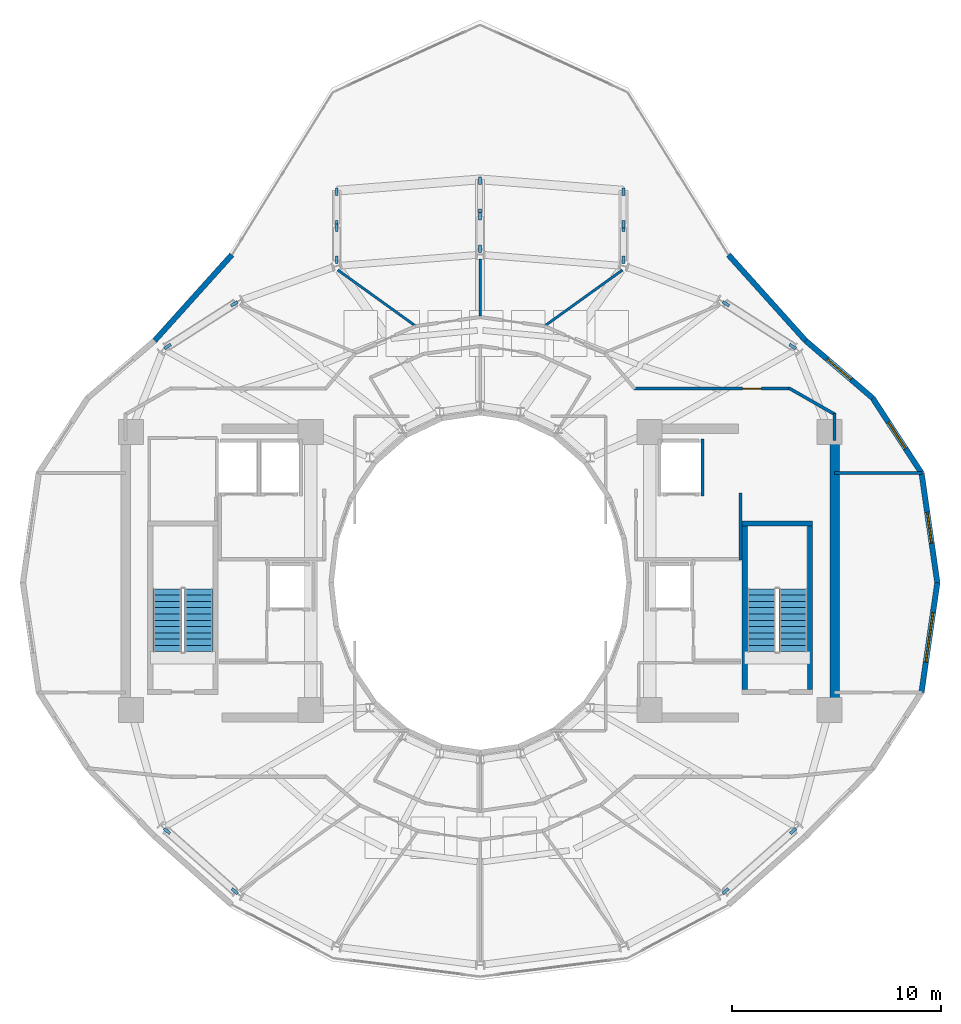
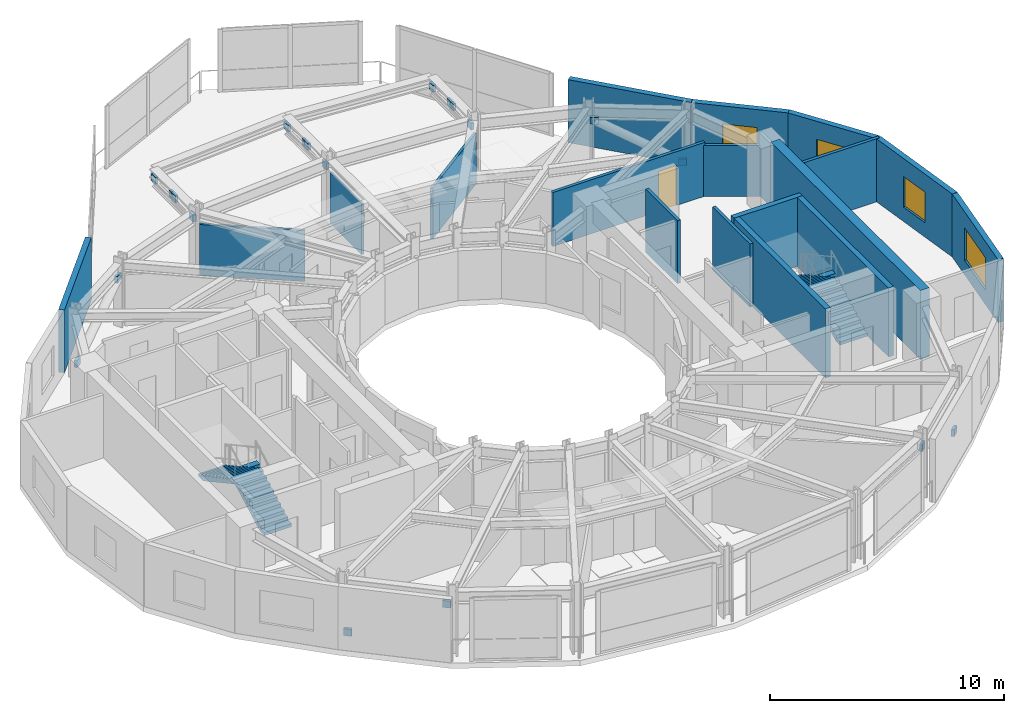
# One storey, part 16 of 19: 20 discrete accessories, 19 walls, 4 stair flights, 4 windows, 1 door, 5 openings, 2 elements without a shape of their own.
"""IFC4 building model written with IfcOpenShell, lengths in metres."""

from ifc_helpers import new_model, si_unit, direction, frame, frame_2d, origin, origin_2d, place, context, subcontext, project, spatial, polyline, rectangle, outline, extrude, material, layer, layer_set, type_object, element, fill, aggregate, save


model = new_model("IFC4")

# Units and contexts
model_context = context("Model", 3, precision=1e-05, world=origin(), true_north=direction((0.0, 1.0)))
body_context = subcontext(model_context, "Body", "Model", "MODEL_VIEW")
ifc_project = project(units=[si_unit("LENGTHUNIT", "METRE"), si_unit("AREAUNIT", "SQUARE_METRE"), si_unit("VOLUMEUNIT", "CUBIC_METRE"), si_unit("PLANEANGLEUNIT", "RADIAN"), si_unit("MASSUNIT", "GRAM", prefix="KILO")], contexts=[model_context])

# Site, building, storey
site_placement = place(None, origin())
site = spatial("IfcSite", under=ifc_project, at=site_placement, CompositionType="ELEMENT")
building_placement = place(site_placement, origin())
building = spatial("IfcBuilding", under=site, at=building_placement, Name="Solvane Sanctuary Tower", CompositionType="ELEMENT")
storey_placement = place(building_placement, frame((0.0, 0.0, 249.60009765625)))
storey = spatial("IfcBuildingStorey", under=building, at=storey_placement, Name="L76", CompositionType="ELEMENT", Elevation=249.60009765625)

# Walls
ifc_material_1 = material(Name="Concrete C50/60", Category="concrete")
ifc_layer_1 = layer(ifc_material_1, 0.449951171875, Name="Concrete C50/60")
ifc_layer_set_1 = layer_set([ifc_layer_1], Name="Concrete C50/60")
wall_type_1 = type_object("IfcWallType", Name="Wall W-CORE-450", PredefinedType="SHEAR", material=ifc_layer_set_1)
wall_1_placement = place(storey_placement, frame((48.949951171875, 17.050048828125, 0.0), z_axis=(0.0, 0.0, 1.0), x_axis=(0.0, 1.0, 0.0)))
element("IfcWall", 1, at=wall_1_placement, inside=storey, type_object=wall_type_1, Name="L76 Core Shear Wall EC-E", PredefinedType="SHEAR", context=body_context, shape_type="SweptSolid", body=[
    extrude(rectangle(XDim=12.800048828125, YDim=0.449951171875, at=frame_2d((6.39990234375, 0.0))), origin(), (0.0, 0.0, 1.0), 3.599853515625),
])
ifc_material_2 = material(Name="Acoustic Gypsum Partition Board")
ifc_layer_2 = layer(ifc_material_2, 0.14990234375, Name="Acoustic Gypsum Partition Board")
ifc_layer_set_2 = layer_set([ifc_layer_2], Name="Acoustic Gypsum Partition Board")
wall_type_2 = type_object("IfcWallType", Name="Wall W-CORR-150", PredefinedType="PARTITIONING", material=ifc_layer_set_2)
wall_2_placement = place(storey_placement, frame((44.449951171875, 24.080078125, 0.0), z_axis=(0.0, 0.0, 1.0), x_axis=(0.0, 1.0, 0.0)))
element("IfcWall", 2, at=wall_2_placement, inside=storey, type_object=wall_type_2, Name="L76 East Firefighting Lobby East Wall", PredefinedType="PARTITIONING", context=body_context, shape_type="SweptSolid", body=[
    extrude(rectangle(XDim=3.199951171875, YDim=0.14990234375, at=frame_2d((1.60009765625, 0.0))), origin(), (0.0, 0.0, 1.0), 3.294921875),
])
wall_3_placement = place(storey_placement, frame((48.949951171875, 28.245361328125, 0.0), z_axis=(0.0, 0.0, 1.0), x_axis=(1.0, 0.0, 0.0)))
element("IfcWall", 3, at=wall_3_placement, inside=storey, type_object=wall_type_2, Name="L76 East Shoulder North Wall", PredefinedType="PARTITIONING", context=body_context, shape_type="SweptSolid", body=[
    extrude(rectangle(XDim=4.174560546875, YDim=0.14990234375, at=frame_2d((2.08740234375, 0.0))), origin(), (0.0, 0.0, 1.0), 3.294921875),
])
wall_4_placement = place(storey_placement, frame((48.949951171875, 29.800048828125, 0.0), z_axis=(0.0, 0.0, 1.0), x_axis=(0.0, 1.0, 0.0)))
element("IfcWall", 4, at=wall_4_placement, inside=storey, type_object=wall_type_2, Name="L76 NE Corner Closer 1", PredefinedType="PARTITIONING", context=body_context, shape_type="SweptSolid", body=[
    extrude(rectangle(XDim=1.2900390625, YDim=0.14990234375, at=frame_2d((0.64501953125, 0.0))), origin(), (0.0, 0.0, 1.0), 3.294921875),
])

# Wall, opening, door
wall_5_placement = place(storey_placement, frame((39.330078125, 32.280029296875, 0.0), z_axis=(0.0, 0.0, 1.0), x_axis=(1.0, 0.0, 0.0)))
wall_5 = element("IfcWall", 5, at=wall_5_placement, inside=storey, type_object=wall_type_2, Name="L76 NE Corner Corridor Wall", PredefinedType="PARTITIONING", context=body_context, shape_type="SweptSolid", body=[
    extrude(rectangle(XDim=7.52001953125, YDim=0.14990234375, at=frame_2d((3.760009765625, 0.0))), origin(), (0.0, 0.0, 1.0), 2.81591796875),
])
opening_1_placement = place(wall_5_placement, frame((5.219970703125, 0.0, 0.0)))
opening_1 = element("IfcOpeningElement", 6, at=opening_1_placement, cuts=wall_5, Name="Opening D-L76-16", PredefinedType="OPENING", context=body_context, shape_type="SweptSolid", body=[
    extrude(rectangle(XDim=0.89990234375, YDim=2.10009765625, at=frame_2d((0.449951171875, 1.050048828125))), frame((0.0, 0.0849609375, 0.0), z_axis=(0.0, -1.0, 0.0), x_axis=(1.0, 0.0, 0.0)), (0.0, 0.0, 1.0), 0.169921875),
])
ifc_material_3 = material(Name="Engineered Tropical Hardwood", Category="wood")
door_type = type_object("IfcDoorType", Name="Door D-WET-900", OperationType="NOTDEFINED", PredefinedType="DOOR", material=ifc_material_3)
door_placement = place(opening_1_placement, origin())
door = element("IfcDoor", 7, at=door_placement, inside=storey, type_object=door_type, Name="L76 NE Corner Salon Door", OperationType="SINGLE_SWING_LEFT", OverallHeight=2.10009765625, OverallWidth=0.89990234375, PredefinedType="DOOR", context=body_context, shape_type="SweptSolid", body=[
    extrude(rectangle(XDim=0.89990234375, YDim=2.10009765625, at=frame_2d((0.449951171875, 1.050048828125))), frame((0.0, 0.02490234375, 0.0), z_axis=(0.0, -1.0, 0.0), x_axis=(1.0, 0.0, 0.0)), (0.0, 0.0, 1.0), 0.050048828125),
])
fill(opening_1, door)

# Wall
wall_6_placement = place(storey_placement, frame((46.756591796875, 32.3046875, 0.0), z_axis=(0.0, 0.0, 1.0), x_axis=(0.867991349648, -0.496579315857, 0.0)))
element("IfcWall", 8, at=wall_6_placement, inside=storey, type_object=wall_type_2, Name="L76 NE Corner Wing Wall", PredefinedType="PARTITIONING", context=body_context, shape_type="SweptSolid", body=[
    extrude(rectangle(XDim=2.56689453125, YDim=0.14990234375, at=frame_2d((1.283447265625, 0.0))), origin(), (0.0, 0.0, 1.0), 2.659912109375),
])

# Wall, opening, window
ifc_material_4 = material(Name="Precast concrete C40/50", Category="concrete")
ifc_layer_3 = layer(ifc_material_4, 0.260009765625, Name="Precast concrete C40/50")
ifc_layer_set_3 = layer_set([ifc_layer_3], Name="Precast concrete C40/50")
wall_type_3 = type_object("IfcWallType", Name="Wall W-EXT-250", PredefinedType="STANDARD", material=ifc_layer_set_3)
wall_7_placement = place(storey_placement, frame((53.860107421875, 23.0, 0.0), z_axis=(0.0, 0.0, 1.0), x_axis=(-0.142712754019, 0.989764148593, 0.0)))
wall_7 = element("IfcWall", 9, at=wall_7_placement, inside=storey, type_object=wall_type_3, Name="L76 Ceramic-Printed Facade Wall 00", PredefinedType="STANDARD", context=body_context, shape_type="SweptSolid", body=[
    extrude(rectangle(XDim=5.29296875, YDim=0.260009765625, at=frame_2d((2.646484375, 0.0))), origin(), (0.0, 0.0, 1.0), 3.289794921875),
])
opening_2_placement = place(wall_7_placement, frame((1.896484375, 0.0, 0.75)))
opening_2 = element("IfcOpeningElement", 10, at=opening_2_placement, cuts=wall_7, Name="Opening WN-OPER-1500", PredefinedType="OPENING", context=body_context, shape_type="SweptSolid", body=[
    extrude(rectangle(XDim=1.5, YDim=1.60009765625, at=frame_2d((0.75, 0.800048828125))), frame((0.0, 0.139892578125, 0.0), z_axis=(0.0, -1.0, 0.0), x_axis=(1.0, 0.0, 0.0)), (0.0, 0.0, 1.0), 0.280029296875),
])
ifc_material_5 = material(Name="Dark Ceramic-Fritted Low-E Glass", Category="glass")
window_type_1 = type_object("IfcWindowType", Name="Window WN-OPER-1500", PartitioningType="SINGLE_PANEL", PredefinedType="WINDOW", material=ifc_material_5)
window_1_placement = place(opening_2_placement, origin())
window_1 = element("IfcWindow", 11, at=window_1_placement, inside=storey, type_object=window_type_1, Name="L76 Operable Facade Window 00", OverallHeight=1.60009765625, OverallWidth=1.5, PartitioningType="SINGLE_PANEL", PredefinedType="WINDOW", context=body_context, shape_type="SweptSolid", body=[
    extrude(rectangle(XDim=1.5, YDim=1.60009765625, at=frame_2d((0.75, 0.800048828125))), frame((0.0, 0.030029296875, 0.0), z_axis=(0.0, -1.0, 0.0), x_axis=(1.0, 0.0, 0.0)), (0.0, 0.0, 1.0), 0.06005859375),
])
fill(opening_2, window_1)

wall_8_placement = place(storey_placement, frame((53.104736328125, 28.23876953125, 0.0), z_axis=(0.0, 0.0, 1.0), x_axis=(-0.546606419826, 0.837389647539, 0.0)))
wall_8 = element("IfcWall", 12, at=wall_8_placement, inside=storey, type_object=wall_type_3, Name="L76 Ceramic-Printed Facade Wall 01", PredefinedType="STANDARD", context=body_context, shape_type="SweptSolid", body=[
    extrude(rectangle(XDim=4.287841796875, YDim=0.260009765625, at=frame_2d((2.14404296875, 0.0))), origin(), (0.0, 0.0, 1.0), 3.289794921875),
])
opening_3_placement = place(wall_8_placement, frame((1.393798828125, 0.0, 0.75)))
opening_3 = element("IfcOpeningElement", 13, at=opening_3_placement, cuts=wall_8, Name="Opening WN-OPER-1500", PredefinedType="OPENING", context=body_context, shape_type="SweptSolid", body=[
    extrude(rectangle(XDim=1.5, YDim=1.60009765625, at=frame_2d((0.75, 0.800048828125))), frame((0.0, 0.139892578125, 0.0), z_axis=(0.0, -1.0, 0.0), x_axis=(1.0, 0.0, 0.0)), (0.0, 0.0, 1.0), 0.280029296875),
])
window_2_placement = place(opening_3_placement, origin())
window_2 = element("IfcWindow", 14, at=window_2_placement, inside=storey, type_object=window_type_1, Name="L76 Operable Facade Window 01", OverallHeight=1.60009765625, OverallWidth=1.5, PartitioningType="SINGLE_PANEL", PredefinedType="WINDOW", context=body_context, shape_type="SweptSolid", body=[
    extrude(rectangle(XDim=1.5, YDim=1.60009765625, at=frame_2d((0.75, 0.800048828125))), frame((0.0, 0.030029296875, 0.0), z_axis=(0.0, -1.0, 0.0), x_axis=(1.0, 0.0, 0.0)), (0.0, 0.0, 1.0), 0.06005859375),
])
fill(opening_3, window_2)

wall_9_placement = place(storey_placement, frame((50.760986328125, 31.829345703125, 0.0), z_axis=(0.0, 0.0, 1.0), x_axis=(-0.759587504333, 0.650405122413, 0.0)))
wall_9 = element("IfcWall", 15, at=wall_9_placement, inside=storey, type_object=wall_type_3, Name="L76 Ceramic-Printed Facade Wall 02", PredefinedType="STANDARD", context=body_context, shape_type="SweptSolid", body=[
    extrude(rectangle(XDim=4.21728515625, YDim=0.260009765625, at=frame_2d((2.108642578125, 0.0))), origin(), (0.0, 0.0, 1.0), 3.289794921875),
])
opening_4_placement = place(wall_9_placement, frame((1.358642578125, 0.0, 0.75)))
opening_4 = element("IfcOpeningElement", 16, at=opening_4_placement, cuts=wall_9, Name="Opening WN-OPER-1500", PredefinedType="OPENING", context=body_context, shape_type="SweptSolid", body=[
    extrude(rectangle(XDim=1.5, YDim=1.60009765625, at=frame_2d((0.75, 0.800048828125))), frame((0.0, 0.139892578125, 0.0), z_axis=(0.0, -1.0, 0.0), x_axis=(1.0, 0.0, 0.0)), (0.0, 0.0, 1.0), 0.280029296875),
])
window_3_placement = place(opening_4_placement, origin())
window_3 = element("IfcWindow", 17, at=window_3_placement, inside=storey, type_object=window_type_1, Name="L76 Operable Facade Window 02", OverallHeight=1.60009765625, OverallWidth=1.5, PartitioningType="SINGLE_PANEL", PredefinedType="WINDOW", context=body_context, shape_type="SweptSolid", body=[
    extrude(rectangle(XDim=1.5, YDim=1.60009765625, at=frame_2d((0.75, 0.800048828125))), frame((0.0, 0.030029296875, 0.0), z_axis=(0.0, -1.0, 0.0), x_axis=(1.0, 0.0, 0.0)), (0.0, 0.0, 1.0), 0.06005859375),
])
fill(opening_4, window_3)

# Walls
for number, where, z_axis, x_axis, name in (
    (18, (47.5576171875, 34.572265625, 0.0), (0.0, 0.0, 1.0), (-0.668903560134, 0.743349196031, 0.0), "L76 Ceramic-Printed Facade Wall 03"),
    (19, (20.1298828125, 38.670166015625, 0.0), (0.0, 0.0, 1.0), (-0.668903560134, -0.743349196031, 0.0), "L76 Ceramic-Printed Facade Wall 08"),
):
    element("IfcWall", number, at=place(storey_placement, frame(where, z_axis=z_axis, x_axis=x_axis)), inside=storey, type_object=wall_type_3, Name=name, PredefinedType="STANDARD", context=body_context, shape_type="SweptSolid", body=[
        extrude(rectangle(XDim=5.5126953125, YDim=0.260009765625, at=frame_2d((2.75634765625, 0.0))), origin(), (0.0, 0.0, 1.0), 3.289794921875),
    ])

# Wall, opening, window
wall_10_placement = place(storey_placement, frame((53.104736328125, 17.76123046875, 0.0), z_axis=(0.0, 0.0, 1.0), x_axis=(0.142712754019, 0.989764148593, 0.0)))
wall_10 = element("IfcWall", 20, at=wall_10_placement, inside=storey, type_object=wall_type_3, Name="L76 Ceramic-Printed Facade Wall 23", PredefinedType="STANDARD", context=body_context, shape_type="SweptSolid", body=[
    extrude(rectangle(XDim=5.29296875, YDim=0.260009765625, at=frame_2d((2.646484375, 0.0))), origin(), (0.0, 0.0, 1.0), 3.289794921875),
])
opening_5_placement = place(wall_10_placement, frame((1.446533203125, 0.0, 0.75)))
opening_5 = element("IfcOpeningElement", 21, at=opening_5_placement, cuts=wall_10, Name="Opening WN-RIB-2400", PredefinedType="OPENING", context=body_context, shape_type="SweptSolid", body=[
    extrude(rectangle(XDim=2.39990234375, YDim=1.699951171875, at=frame_2d((1.199951171875, 0.85009765625))), frame((0.0, 0.139892578125, 0.0), z_axis=(0.0, -1.0, 0.0), x_axis=(1.0, 0.0, 0.0)), (0.0, 0.0, 1.0), 0.280029296875),
])
window_type_2 = type_object("IfcWindowType", Name="Window WN-RIB-2400", PartitioningType="SINGLE_PANEL", PredefinedType="WINDOW", material=ifc_material_5)
window_4_placement = place(opening_5_placement, origin())
window_4 = element("IfcWindow", 22, at=window_4_placement, inside=storey, type_object=window_type_2, Name="L76 Operable Facade Window 23", OverallHeight=1.699951171875, OverallWidth=2.39990234375, PartitioningType="SINGLE_PANEL", PredefinedType="WINDOW", context=body_context, shape_type="SweptSolid", body=[
    extrude(rectangle(XDim=2.39990234375, YDim=1.699951171875, at=frame_2d((1.199951171875, 0.85009765625))), frame((0.0, 0.030029296875, 0.0), z_axis=(0.0, -1.0, 0.0), x_axis=(1.0, 0.0, 0.0)), (0.0, 0.0, 1.0), 0.06005859375),
])
fill(opening_5, window_4)

# Walls
ifc_layer_4 = layer(ifc_material_2, 0.1201171875, Name="Acoustic Gypsum Partition Board")
ifc_layer_set_4 = layer_set([ifc_layer_4], Name="Acoustic Gypsum Partition Board")
wall_type_4 = type_object("IfcWallType", Name="Wall W-MOV-100", PredefinedType="MOVABLE", material=ifc_layer_set_4)
wall_11_placement = place(storey_placement, frame((35.1240234375, 35.29736328125, 0.0), z_axis=(0.0, 0.0, 1.0), x_axis=(0.811745719064, 0.584011033783, 0.0)))
element("IfcWall", 23, at=wall_11_placement, inside=storey, type_object=wall_type_4, Name="L76 Sky Hall Radial Partition 075", PredefinedType="MOVABLE", context=body_context, shape_type="SweptSolid", body=[
    extrude(rectangle(XDim=4.53369140625, YDim=0.1201171875, at=frame_2d((2.266845703125, 0.0))), origin(), (0.0, 0.0, 1.0), 2.659912109375),
])
wall_12_placement = place(storey_placement, frame((32.0, 35.7529296875, 0.0), z_axis=(0.0, 0.0, 1.0), x_axis=(0.0, 1.0, 0.0)))
element("IfcWall", 24, at=wall_12_placement, inside=storey, type_object=wall_type_4, Name="L76 Sky Hall Radial Partition 090", PredefinedType="MOVABLE", context=body_context, shape_type="SweptSolid", body=[
    extrude(rectangle(XDim=2.72705078125, YDim=0.1201171875, at=frame_2d((1.363525390625, 0.0))), origin(), (0.0, 0.0, 1.0), 2.659912109375),
])
wall_13_placement = place(storey_placement, frame((28.8759765625, 35.29736328125, 0.0), z_axis=(0.0, 0.0, 1.0), x_axis=(-0.811745719064, 0.584011033783, 0.0)))
element("IfcWall", 25, at=wall_13_placement, inside=storey, type_object=wall_type_4, Name="L76 Sky Hall Radial Partition 105", PredefinedType="MOVABLE", context=body_context, shape_type="SweptSolid", body=[
    extrude(rectangle(XDim=4.53369140625, YDim=0.1201171875, at=frame_2d((2.266845703125, 0.0))), origin(), (0.0, 0.0, 1.0), 2.659912109375),
])
ifc_layer_5 = layer(ifc_material_1, 0.14990234375, Name="Concrete C50/60")
ifc_layer_set_5 = layer_set([ifc_layer_5], Name="Concrete C50/60")
wall_type_5 = type_object("IfcWallType", Name="Wall W-SHAFT-150", PredefinedType="SOLIDWALL", material=ifc_layer_set_5)
wall_14_placement = place(storey_placement, frame((42.6298828125, 27.139892578125, 0.0), z_axis=(0.0, 0.0, 1.0), x_axis=(0.0, 1.0, 0.0)))
element("IfcWall", 26, at=wall_14_placement, inside=storey, type_object=wall_type_5, Name="L76 FFL-2 Lift Shaft Wall S2", PredefinedType="SOLIDWALL", context=body_context, shape_type="SweptSolid", body=[
    extrude(rectangle(XDim=2.72021484375, YDim=0.14990234375, at=frame_2d((1.360107421875, 0.0))), origin(), (0.0, 0.0, 1.0), 3.294921875),
])
ifc_layer_6 = layer(ifc_material_1, 0.25, Name="Concrete C50/60")
ifc_layer_set_6 = layer_set([ifc_layer_6], Name="Concrete C50/60")
wall_type_6 = type_object("IfcWallType", Name="Wall W-SHAFT-250", PredefinedType="SOLIDWALL", material=ifc_layer_set_6)
wall_15_placement = place(storey_placement, frame((44.52490234375, 25.830078125, 0.0), z_axis=(0.0, 0.0, 1.0), x_axis=(1.0, 0.0, 0.0)))
element("IfcWall", 27, at=wall_15_placement, inside=storey, type_object=wall_type_6, Name="L76 ST-2 Load-Bearing Shaft Wall N", PredefinedType="SOLIDWALL", context=body_context, shape_type="SweptSolid", body=[
    extrude(rectangle(XDim=3.3701171875, YDim=0.25, at=frame_2d((1.68505859375, 0.0))), origin(), (0.0, 0.0, 1.0), 3.599853515625),
])
for number, where, z_axis, x_axis, name in (
    (28, (44.64990234375, 17.89501953125, 0.0), (0.0, 0.0, 1.0), (0.0, 1.0, 0.0), "L76 ST-2 Load-Bearing Shaft Wall W"),
    (29, (47.77001953125, 17.89501953125, 0.0), (0.0, 0.0, 1.0), (0.0, 1.0, 0.0), "L76 ST-2 Load-Bearing Shaft Wall E"),
):
    element("IfcWall", number, at=place(storey_placement, frame(where, z_axis=z_axis, x_axis=x_axis)), inside=storey, type_object=wall_type_6, Name=name, PredefinedType="SOLIDWALL", context=body_context, shape_type="SweptSolid", body=[
        extrude(rectangle(XDim=7.81005859375, YDim=0.25, at=frame_2d((3.905029296875, 0.0))), origin(), (0.0, 0.0, 1.0), 3.599853515625),
    ])

# Stair, stair flights
ifc_material_6 = material(Name="Concrete C45/55", Category="concrete")
stair_type = type_object("IfcStairType", Name="Stair ST-TOW", PredefinedType="HALF_TURN_STAIR", material=ifc_material_6)
stair_1_placement = place(storey_placement, origin())
stair_1 = element("IfcStair", 30, at=stair_1_placement, inside=storey, type_object=stair_type, Name="L76 Exit Stair ST-1 West Core", PredefinedType="HALF_TURN_STAIR")
stair_flight_type = type_object("IfcStairFlightType", Name="StairFlight SF-TOW", PredefinedType="STRAIGHT", material=ifc_material_6)
stair_flight_1_placement = place(storey_placement, frame((18.544921875, 19.699951171875, 0.0), z_axis=(0.0, 0.0, 1.0), x_axis=(0.0, 1.0, 0.0)))
stair_flight_1 = element("IfcStairFlight", 31, at=stair_flight_1_placement, type_object=stair_flight_type, Name="ST-1 flight 1", NumberOfRisers=11, NumberOfTreads=10, PredefinedType="STRAIGHT", RiserHeight=0.163636364, TreadLength=0.3, context=body_context, shape_type="SweptSolid", body=[
    extrude(outline(polyline([(0.0, 0.0), (0.0, 0.16357421875), (0.300048828125, 0.16357421875), (0.300048828125, 0.327392578125), (0.60009765625, 0.327392578125), (0.60009765625, 0.490966796875), (0.89990234375, 0.490966796875), (0.89990234375, 0.654541015625), (1.199951171875, 0.654541015625), (1.199951171875, 0.818115234375), (1.5, 0.818115234375), (1.5, 0.98193359375), (1.800048828125, 0.98193359375), (1.800048828125, 1.1455078125), (2.10009765625, 1.1455078125), (2.10009765625, 1.30908203125), (2.39990234375, 1.30908203125), (2.39990234375, 1.47265625), (2.699951171875, 1.47265625), (2.699951171875, 1.636474609375), (3.0, 1.636474609375), (3.0, 1.800048828125), (3.0, 1.431396484375), (0.375732421875, 0.0), (0.0, 0.0)])), frame((0.0, 0.675048828125, 0.0), z_axis=(0.0, -1.0, 0.0), x_axis=(1.0, 0.0, 0.0)), (0.0, 0.0, 1.0), 1.35009765625),
])
stair_flight_2_placement = place(storey_placement, frame((17.034912109375, 22.699951171875, 1.7998046875), z_axis=(0.0, 0.0, 1.0), x_axis=(0.0, -1.0, 0.0)))
stair_flight_2 = element("IfcStairFlight", 32, at=stair_flight_2_placement, type_object=stair_flight_type, Name="ST-1 flight 2", NumberOfRisers=11, NumberOfTreads=10, PredefinedType="STRAIGHT", RiserHeight=0.163636364, TreadLength=0.3, context=body_context, shape_type="SweptSolid", body=[
    extrude(outline(polyline([(0.0, 0.0), (0.0, 0.16357421875), (0.300048828125, 0.16357421875), (0.300048828125, 0.327392578125), (0.60009765625, 0.327392578125), (0.60009765625, 0.490966796875), (0.89990234375, 0.490966796875), (0.89990234375, 0.654541015625), (1.199951171875, 0.654541015625), (1.199951171875, 0.818115234375), (1.5, 0.818115234375), (1.5, 0.98193359375), (1.800048828125, 0.98193359375), (1.800048828125, 1.1455078125), (2.10009765625, 1.1455078125), (2.10009765625, 1.30908203125), (2.39990234375, 1.30908203125), (2.39990234375, 1.47265625), (2.699951171875, 1.47265625), (2.699951171875, 1.636474609375), (3.0, 1.636474609375), (3.0, 1.800048828125), (3.0, 1.431396484375), (0.375732421875, 0.0), (0.0, 0.0)])), frame((0.0, 0.675048828125, 0.0), z_axis=(0.0, -1.0, 0.0), x_axis=(1.0, 0.0, 0.0)), (0.0, 0.0, 1.0), 1.35009765625),
])
aggregate(stair_1, [stair_flight_1, stair_flight_2])

stair_2_placement = place(storey_placement, origin())
stair_2 = element("IfcStair", 33, at=stair_2_placement, inside=storey, type_object=stair_type, Name="L76 Exit Stair ST-2 East Core", PredefinedType="HALF_TURN_STAIR")
stair_flight_3_placement = place(storey_placement, frame((46.965087890625, 19.699951171875, 0.0), z_axis=(0.0, 0.0, 1.0), x_axis=(0.0, 1.0, 0.0)))
stair_flight_3 = element("IfcStairFlight", 34, at=stair_flight_3_placement, type_object=stair_flight_type, Name="ST-2 flight 1", NumberOfRisers=11, NumberOfTreads=10, PredefinedType="STRAIGHT", RiserHeight=0.163636364, TreadLength=0.3, context=body_context, shape_type="SweptSolid", body=[
    extrude(outline(polyline([(0.0, 0.0), (0.0, 0.16357421875), (0.300048828125, 0.16357421875), (0.300048828125, 0.327392578125), (0.60009765625, 0.327392578125), (0.60009765625, 0.490966796875), (0.89990234375, 0.490966796875), (0.89990234375, 0.654541015625), (1.199951171875, 0.654541015625), (1.199951171875, 0.818115234375), (1.5, 0.818115234375), (1.5, 0.98193359375), (1.800048828125, 0.98193359375), (1.800048828125, 1.1455078125), (2.10009765625, 1.1455078125), (2.10009765625, 1.30908203125), (2.39990234375, 1.30908203125), (2.39990234375, 1.47265625), (2.699951171875, 1.47265625), (2.699951171875, 1.636474609375), (3.0, 1.636474609375), (3.0, 1.800048828125), (3.0, 1.431396484375), (0.375732421875, 0.0), (0.0, 0.0)])), frame((0.0, 0.675048828125, 0.0), z_axis=(0.0, -1.0, 0.0), x_axis=(1.0, 0.0, 0.0)), (0.0, 0.0, 1.0), 1.35009765625),
])
stair_flight_4_placement = place(storey_placement, frame((45.455078125, 22.699951171875, 1.7998046875), z_axis=(0.0, 0.0, 1.0), x_axis=(0.0, -1.0, 0.0)))
stair_flight_4 = element("IfcStairFlight", 35, at=stair_flight_4_placement, type_object=stair_flight_type, Name="ST-2 flight 2", NumberOfRisers=11, NumberOfTreads=10, PredefinedType="STRAIGHT", RiserHeight=0.163636364, TreadLength=0.3, context=body_context, shape_type="SweptSolid", body=[
    extrude(outline(polyline([(0.0, 0.0), (0.0, 0.16357421875), (0.300048828125, 0.16357421875), (0.300048828125, 0.327392578125), (0.60009765625, 0.327392578125), (0.60009765625, 0.490966796875), (0.89990234375, 0.490966796875), (0.89990234375, 0.654541015625), (1.199951171875, 0.654541015625), (1.199951171875, 0.818115234375), (1.5, 0.818115234375), (1.5, 0.98193359375), (1.800048828125, 0.98193359375), (1.800048828125, 1.1455078125), (2.10009765625, 1.1455078125), (2.10009765625, 1.30908203125), (2.39990234375, 1.30908203125), (2.39990234375, 1.47265625), (2.699951171875, 1.47265625), (2.699951171875, 1.636474609375), (3.0, 1.636474609375), (3.0, 1.800048828125), (3.0, 1.431396484375), (0.375732421875, 0.0), (0.0, 0.0)])), frame((0.0, 0.675048828125, 0.0), z_axis=(0.0, -1.0, 0.0), x_axis=(1.0, 0.0, 0.0)), (0.0, 0.0, 1.0), 1.35009765625),
])
aggregate(stair_2, [stair_flight_3, stair_flight_4])

# Discrete accessories
ifc_material_7 = material(Name="Steel ASTM A572 Grade 50", Category="steel")
ifc_layer_7 = layer(ifc_material_7, 0.360107421875, Name="Steel ASTM A572 Grade 50")
ifc_layer_set_7 = layer_set([ifc_layer_7], Name="Steel ASTM A572 Grade 50")
discrete_accessory_type = type_object("IfcDiscreteAccessoryType", Name="Accessory ACC-GUSSET-BRK", PredefinedType="BRACKET", material=ifc_layer_set_7)
for number, where, z_axis, x_axis, name in (
    (36, (46.940673828125, 34.2900390625, 0.3310546875), (0.0, 0.0, 1.0), (-0.842264279204, 0.539064823539, 0.0), "L76 Perimeter Braced-Tube Diagonal NE End Gusset Bracket A"),
    (37, (43.7548828125, 36.329345703125, 2.38134765625), (0.0, 0.0, 1.0), (-0.842264279204, 0.539064823539, 0.0), "L76 Perimeter Braced-Tube Diagonal NE End Gusset Bracket B"),
    (38, (17.059326171875, 34.2900390625, 0.3310546875), (0.0, 0.0, 1.0), (0.842264279204, 0.539064823539, 0.0), "L76 Perimeter Braced-Tube Diagonal NW End Gusset Bracket A"),
    (39, (20.2451171875, 36.329345703125, 2.38134765625), (0.0, 0.0, 1.0), (0.842264279204, 0.539064823539, 0.0), "L76 Perimeter Braced-Tube Diagonal NW End Gusset Bracket B"),
    (40, (17.032470703125, 11.121337890625, 0.31396484375), (0.0, 0.0, 1.0), (0.747218420912, -0.664578536706, 0.0), "L76 Perimeter Braced-Tube Diagonal SW End Gusset Bracket A"),
    (41, (20.26416015625, 8.2470703125, 2.3935546875), (0.0, 0.0, 1.0), (0.747218420912, -0.664578536706, 0.0), "L76 Perimeter Braced-Tube Diagonal SW End Gusset Bracket B"),
    (42, (46.967529296875, 11.121337890625, 0.31396484375), (0.0, 0.0, 1.0), (-0.747218420912, -0.664578536706, 0.0), "L76 Perimeter Braced-Tube Diagonal SE End Gusset Bracket A"),
    (43, (43.73583984375, 8.2470703125, 2.3935546875), (0.0, 0.0, 1.0), (-0.747218420912, -0.664578536706, 0.0), "L76 Perimeter Braced-Tube Diagonal SE End Gusset Bracket B"),
    (44, (25.143798828125, 38.4267578125, 2.58837890625), (0.0, 0.0, 1.0), (0.0, 1.0, 0.0), "L76 Sky-Dining Truss Diagonal C05-P1 End Gusset Bracket A"),
    (45, (25.143798828125, 39.967529296875, 2.6689453125), (0.0, 0.0, 1.0), (0.0, 1.0, 0.0), "L76 Sky-Dining Truss Diagonal C05-P1 End Gusset Bracket B"),
    (46, (25.143798828125, 40.137451171875, 2.6689453125), (0.0, 0.0, 1.0), (0.0, 1.0, 0.0), "L76 Sky-Dining Truss Web Post C05-P1 End Gusset Bracket A"),
    (47, (25.143798828125, 41.67822265625, 2.58837890625), (0.0, 0.0, 1.0), (0.0, 1.0, 0.0), "L76 Sky-Dining Truss Web Post C05-P1 End Gusset Bracket B"),
    (48, (32.0, 38.9609375, 2.58837890625), (0.0, 0.0, 1.0), (0.0, 1.0, 0.0), "L76 Sky-Dining Truss Diagonal C04-P1 End Gusset Bracket A"),
    (49, (32.0, 40.505615234375, 2.6689453125), (0.0, 0.0, 1.0), (0.0, 1.0, 0.0), "L76 Sky-Dining Truss Diagonal C04-P1 End Gusset Bracket B"),
    (50, (32.0, 40.67529296875, 2.6689453125), (0.0, 0.0, 1.0), (0.0, 1.0, 0.0), "L76 Sky-Dining Truss Web Post C04-P1 End Gusset Bracket A"),
    (51, (32.0, 42.219970703125, 2.58837890625), (0.0, 0.0, 1.0), (0.0, 1.0, 0.0), "L76 Sky-Dining Truss Web Post C04-P1 End Gusset Bracket B"),
    (52, (38.856201171875, 38.4267578125, 2.58837890625), (0.0, 0.0, 1.0), (0.0, 1.0, 0.0), "L76 Sky-Dining Truss Diagonal C03-P1 End Gusset Bracket A"),
    (53, (38.856201171875, 39.967529296875, 2.6689453125), (0.0, 0.0, 1.0), (0.0, 1.0, 0.0), "L76 Sky-Dining Truss Diagonal C03-P1 End Gusset Bracket B"),
    (54, (38.856201171875, 40.137451171875, 2.6689453125), (0.0, 0.0, 1.0), (0.0, 1.0, 0.0), "L76 Sky-Dining Truss Web Post C03-P1 End Gusset Bracket A"),
    (55, (38.856201171875, 41.67822265625, 2.58837890625), (0.0, 0.0, 1.0), (0.0, 1.0, 0.0), "L76 Sky-Dining Truss Web Post C03-P1 End Gusset Bracket B"),
):
    element("IfcDiscreteAccessory", number, at=place(storey_placement, frame(where, z_axis=z_axis, x_axis=x_axis)), inside=storey, type_object=discrete_accessory_type, Name=name, PredefinedType="BRACKET", context=body_context, shape_type="SweptSolid", body=[
        extrude(rectangle(XDim=0.360107421875, YDim=0.139892578125, at=origin_2d()), origin(), (0.0, 0.0, 1.0), 0.360107421875),
    ])

save(model, "model.ifc")
